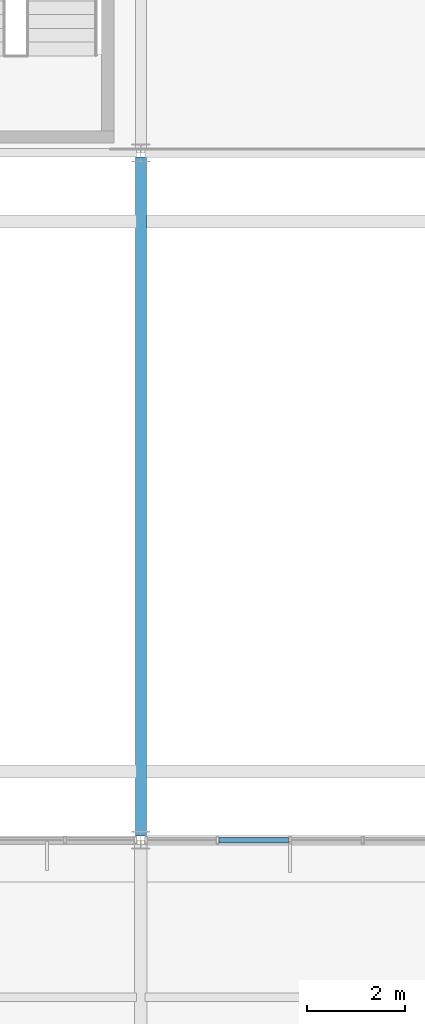
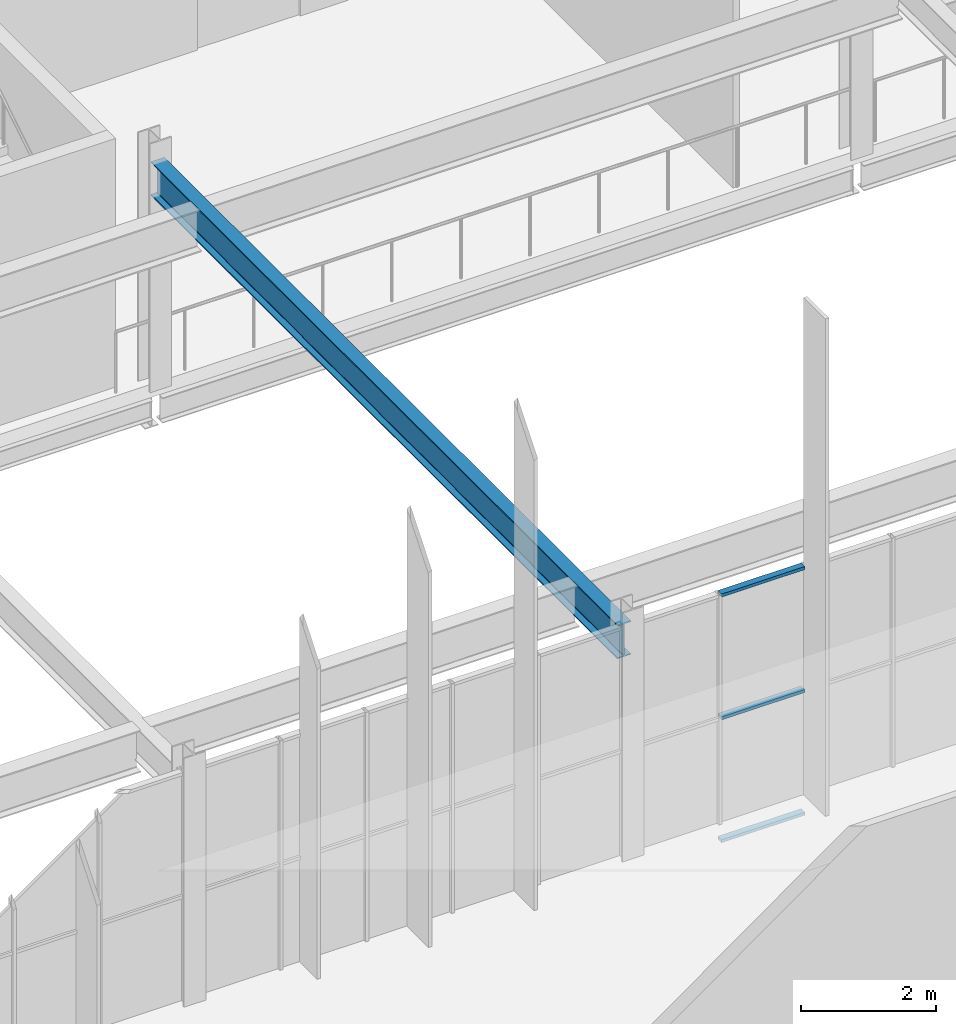
# One storey, part 183 of 324: 3 members, 1 beam, 1 element without a shape of its own.
"""IFC4 building model written with IfcOpenShell, lengths in metres."""

from ifc_helpers import new_model, si_unit, direction, frame, origin, origin_2d, place, context, subcontext, project, spatial, hollow_rectangle, i_section, extrude, material, layer, layer_set, material_profile, profile_set, type_object, element, aggregate, save


model = new_model("IFC4")

# Units and contexts
model_context = context("Model", 3, precision=1e-05, world=origin(), true_north=direction((0.0, 1.0)))
body_context = subcontext(model_context, "Body", "Model", "MODEL_VIEW")
ifc_project = project(units=[si_unit("LENGTHUNIT", "METRE"), si_unit("AREAUNIT", "SQUARE_METRE"), si_unit("VOLUMEUNIT", "CUBIC_METRE"), si_unit("PLANEANGLEUNIT", "RADIAN"), si_unit("MASSUNIT", "GRAM", prefix="KILO")], contexts=[model_context])

# Site, building, storey
site_placement = place(None, origin())
site = spatial("IfcSite", under=ifc_project, at=site_placement, CompositionType="ELEMENT")
building_placement = place(site_placement, origin())
building = spatial("IfcBuilding", under=site, at=building_placement, Name="Solvenia Promenade Tram Depot", CompositionType="ELEMENT")
storey_placement = place(building_placement, frame((0.0, 0.0, 4.5)))
storey = spatial("IfcBuildingStorey", under=building, at=storey_placement, Name="L01", CompositionType="ELEMENT", Elevation=4.5)

# Curtain wall, members
ifc_material_1 = material(Name="Anodized aluminium AW-6063 T6", Category="aluminium")
ifc_layer = layer(ifc_material_1, 0.080078125, Name="Anodized aluminium AW-6063 T6", Category="aluminium")
ifc_layer_set = layer_set([ifc_layer], Name="Anodized aluminium AW-6063 T6")
curtain_wall_type = type_object("IfcCurtainWallType", Name="CW-Clerest-1500", PredefinedType="NOTDEFINED", material=ifc_layer_set)
curtain_wall_placement = place(storey_placement, origin())
curtain_wall = element("IfcCurtainWall", 1, at=curtain_wall_placement, inside=storey, type_object=curtain_wall_type, Name="Curtain Wall CW-V2S-L1-07", PredefinedType="NOTDEFINED")
ifc_material_profile_1 = material_profile(ifc_material_1, hollow_rectangle(XDim=0.110107421875, YDim=0.054931640625, WallThickness=0.00390625, at=origin_2d()), Name="ALU-T4", Category="aluminium")
ifc_profile_set_1 = profile_set([ifc_material_profile_1], Name="Anodized aluminium AW-6063 T6")
member_type = type_object("IfcMemberType", Name="CWT-Transom-4", PredefinedType="USERDEFINED", material=ifc_profile_set_1)
member_1_placement = place(storey_placement, frame((151.58740234375, 24.0, -0.322509765625), z_axis=(1.0, 0.0, 0.0), x_axis=(0.0, 1.0, 0.0)))
member_1 = element("IfcMember", 2, at=member_1_placement, type_object=member_type, Name="CW-4 transom 2.1", ObjectType="TRANSOM", PredefinedType="USERDEFINED", context=body_context, shape_type="SweptSolid", body=[
    extrude(hollow_rectangle(XDim=0.110107421875, YDim=0.054931640625, WallThickness=0.00390625, at=origin_2d()), origin(), (0.0, 0.0, 1.0), 1.425048828125),
])
member_2_placement = place(storey_placement, frame((151.58740234375, 24.0, 1.89990234375), z_axis=(1.0, 0.0, 0.0), x_axis=(0.0, 1.0, 0.0)))
member_2 = element("IfcMember", 3, at=member_2_placement, type_object=member_type, Name="CW-4 transom 2.2", ObjectType="TRANSOM", PredefinedType="USERDEFINED", context=body_context, shape_type="SweptSolid", body=[
    extrude(hollow_rectangle(XDim=0.110107421875, YDim=0.054931640625, WallThickness=0.00390625, at=origin_2d()), origin(), (0.0, 0.0, 1.0), 1.425048828125),
])
member_3_placement = place(storey_placement, frame((151.58740234375, 24.0, 4.12255859375), z_axis=(1.0, 0.0, 0.0), x_axis=(0.0, 1.0, 0.0)))
member_3 = element("IfcMember", 4, at=member_3_placement, type_object=member_type, Name="CW-4 transom 2.3", ObjectType="TRANSOM", PredefinedType="USERDEFINED", context=body_context, shape_type="SweptSolid", body=[
    extrude(hollow_rectangle(XDim=0.110107421875, YDim=0.054931640625, WallThickness=0.00390625, at=origin_2d()), origin(), (0.0, 0.0, 1.0), 1.425048828125),
])
aggregate(curtain_wall, [member_1, member_2, member_3])

# Beam
ifc_material_2 = material(Name="Structural steel ASTM A992 Gr. 50", Category="steel")
ifc_material_profile_2 = material_profile(ifc_material_2, i_section(OverallWidth=0.22900390625, OverallDepth=0.612060546875, WebThickness=0.011962890625, FlangeThickness=0.01953125, FilletRadius=0.014892578125, at=origin_2d()), Name="W610x125", Category="steel")
ifc_profile_set_2 = profile_set([ifc_material_profile_2], Name="Structural steel ASTM A992 Gr. 50")
beam_type = type_object("IfcBeamType", Name="Gird-W610x125", PredefinedType="BEAM", material=ifc_profile_set_2)
beam_placement = place(storey_placement, frame((150.0, 24.0849609375, 3.7939453125), z_axis=(0.0, 1.0, 0.0), x_axis=(-1.0, 0.0, 0.0)))
element("IfcBeam", 5, at=beam_placement, inside=storey, type_object=beam_type, Name="Crane Hall Cross Bearer BM-L01-0912", PredefinedType="BEAM", context=body_context, shape_type="SweptSolid", body=[
    extrude(i_section(OverallWidth=0.22900390625, OverallDepth=0.612060546875, WebThickness=0.011962890625, FlangeThickness=0.01953125, FilletRadius=0.014892578125, at=origin_2d()), origin(), (0.0, 0.0, 1.0), 13.830078125),
])

save(model, "model.ifc")
